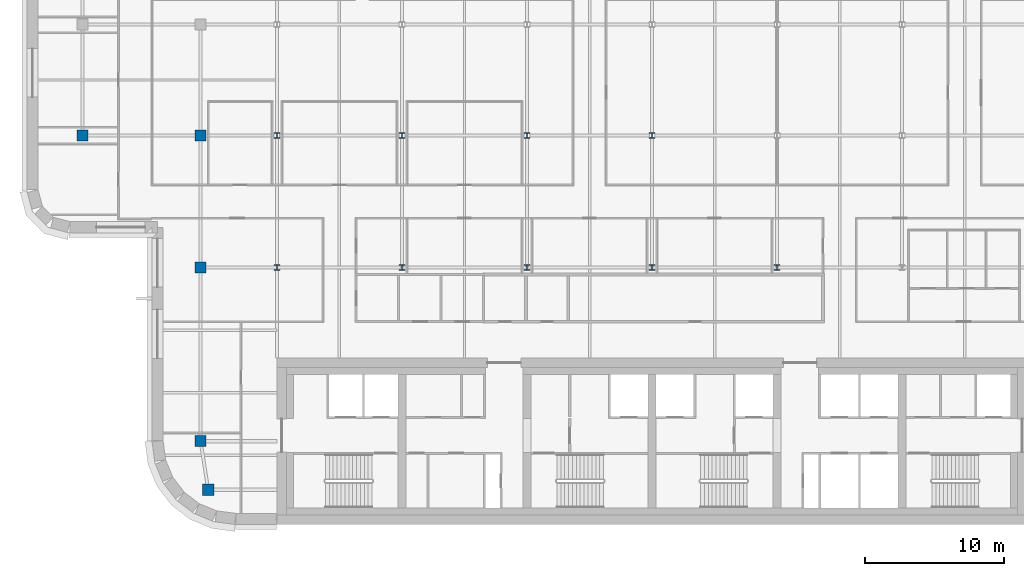
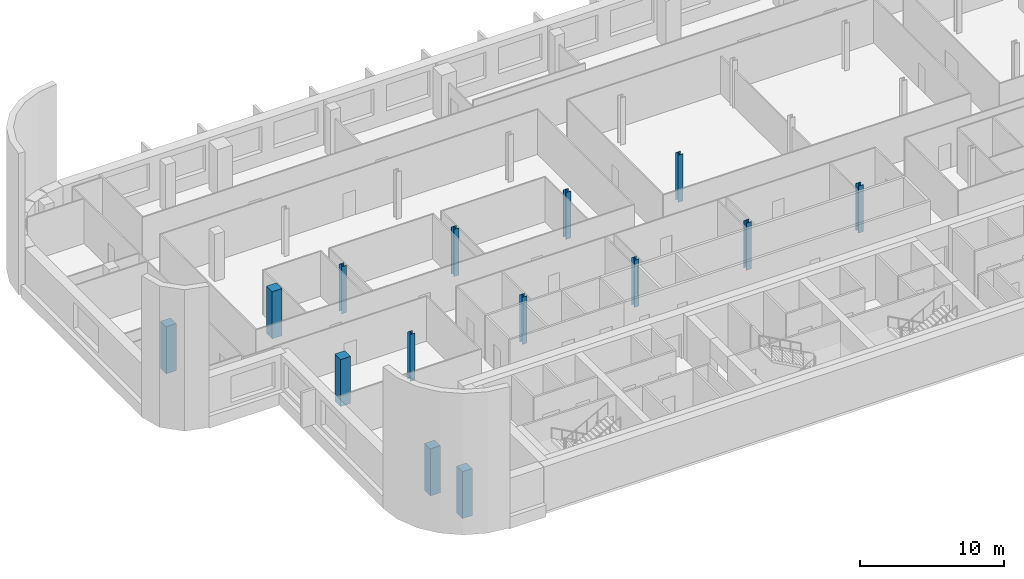
# One storey, part 1 of 17: 14 columns.
"""IFC4 building model written with IfcOpenShell, lengths in metres."""

from ifc_helpers import new_model, si_unit, direction, frame, origin, origin_2d, place, context, subcontext, project, spatial, rectangle, i_section, extrude, material, material_profile, profile_set, type_object, element, save


model = new_model("IFC4")

# Units and contexts
model_context = context("Model", 3, precision=1e-05, world=origin(), true_north=direction((0.0, 1.0)))
body_context = subcontext(model_context, "Body", "Model", "MODEL_VIEW")
ifc_project = project(units=[si_unit("LENGTHUNIT", "METRE"), si_unit("AREAUNIT", "SQUARE_METRE"), si_unit("VOLUMEUNIT", "CUBIC_METRE"), si_unit("PLANEANGLEUNIT", "RADIAN"), si_unit("MASSUNIT", "GRAM", prefix="KILO")], contexts=[model_context])

# Site, building, storey
site_placement = place(None, origin())
site = spatial("IfcSite", under=ifc_project, at=site_placement, CompositionType="ELEMENT")
building_placement = place(site_placement, origin())
building = spatial("IfcBuilding", under=site, at=building_placement, Name="Zellij Exchange Tower", CompositionType="ELEMENT")
storey_placement = place(building_placement, frame((0.0, 0.0, 232.5)))
storey = spatial("IfcBuildingStorey", under=building, at=storey_placement, Name="L54", CompositionType="ELEMENT", Elevation=232.5)

# Columns
ifc_material_1 = material(Name="Concrete C50/60", Category="concrete")
ifc_material_profile_1 = material_profile(ifc_material_1, rectangle(XDim=0.800048828125, YDim=0.800048828125, at=origin_2d()), Name="STR-COLUMN RC800x800 C50/60")
ifc_profile_set_1 = profile_set([ifc_material_profile_1], Name="Concrete C50/60")
column_type_1 = type_object("IfcColumnType", Name="STR-COLUMN RC800x800 C50/60", PredefinedType="COLUMN", material=ifc_profile_set_1)
for number, where, z_axis, x_axis, name in (
    (1, (-31.949951171875, -11.5, 0.0), (0.0, 0.0, 1.0), (1.0, 0.0, 0.0), "C15"),
    (2, (-32.5, -8.0, 0.0), (0.0, 0.0, 1.0), (1.0, 0.0, 0.0), "C15"),
    (3, (-32.5, 4.5, 0.0), (0.0, 0.0, 1.0), (1.0, 0.0, 0.0), "C15"),
    (4, (-41.0, 14.0, 0.0), (0.0, 0.0, 1.0), (1.0, 0.0, 0.0), "C15"),
    (5, (-32.5, 14.0, 0.0), (0.0, 0.0, 1.0), (1.0, 0.0, 0.0), "C15"),
):
    element("IfcColumn", number, at=place(storey_placement, frame(where, z_axis=z_axis, x_axis=x_axis)), inside=storey, type_object=column_type_1, Name=name, PredefinedType="COLUMN", context=body_context, shape_type="SweptSolid", body=[
        extrude(rectangle(XDim=0.800048828125, YDim=0.800048828125, at=origin_2d()), origin(), (0.0, 0.0, 1.0), 4.0),
    ])
ifc_material_2 = material(Name="Structural steel ASTM A992 Gr 50", Category="steel")
ifc_material_profile_2 = material_profile(ifc_material_2, i_section(OverallWidth=0.398681640625, OverallDepth=0.385986328125, WebThickness=0.02099609375, FlangeThickness=0.033203125, at=origin_2d()), Name="W14x176")
ifc_profile_set_2 = profile_set([ifc_material_profile_2], Name="Structural steel ASTM A992 Gr 50")
column_type_2 = type_object("IfcColumnType", Name="STR-COLUMN W14x176", PredefinedType="COLUMN", material=ifc_profile_set_2)
for number, where, z_axis, x_axis, name in (
    (6, (-27.0, 4.5, 0.0), (0.0, 0.0, 1.0), (1.0, 0.0, 0.0), "C2"),
    (7, (-18.0, 4.5, 0.0), (0.0, 0.0, 1.0), (1.0, 0.0, 0.0), "C2"),
    (8, (-9.0, 4.5, 0.0), (0.0, 0.0, 1.0), (1.0, 0.0, 0.0), "C2"),
    (9, (0.0, 4.5, 0.0), (0.0, 0.0, 1.0), (1.0, 0.0, 0.0), "C2"),
    (10, (9.0, 4.5, 0.0), (0.0, 0.0, 1.0), (1.0, 0.0, 0.0), "C2"),
    (11, (-27.0, 14.0, 0.0), (0.0, 0.0, 1.0), (1.0, 0.0, 0.0), "C2"),
    (12, (-18.0, 14.0, 0.0), (0.0, 0.0, 1.0), (1.0, 0.0, 0.0), "C2"),
    (13, (-9.0, 14.0, 0.0), (0.0, 0.0, 1.0), (1.0, 0.0, 0.0), "C2"),
    (14, (0.0, 14.0, 0.0), (0.0, 0.0, 1.0), (1.0, 0.0, 0.0), "C2"),
):
    element("IfcColumn", number, at=place(storey_placement, frame(where, z_axis=z_axis, x_axis=x_axis)), inside=storey, type_object=column_type_2, Name=name, PredefinedType="COLUMN", context=body_context, shape_type="SweptSolid", body=[
        extrude(i_section(OverallWidth=0.398681640625, OverallDepth=0.385986328125, WebThickness=0.02099609375, FlangeThickness=0.033203125, at=origin_2d()), origin(), (0.0, 0.0, 1.0), 4.0),
    ])

save(model, "model.ifc")
